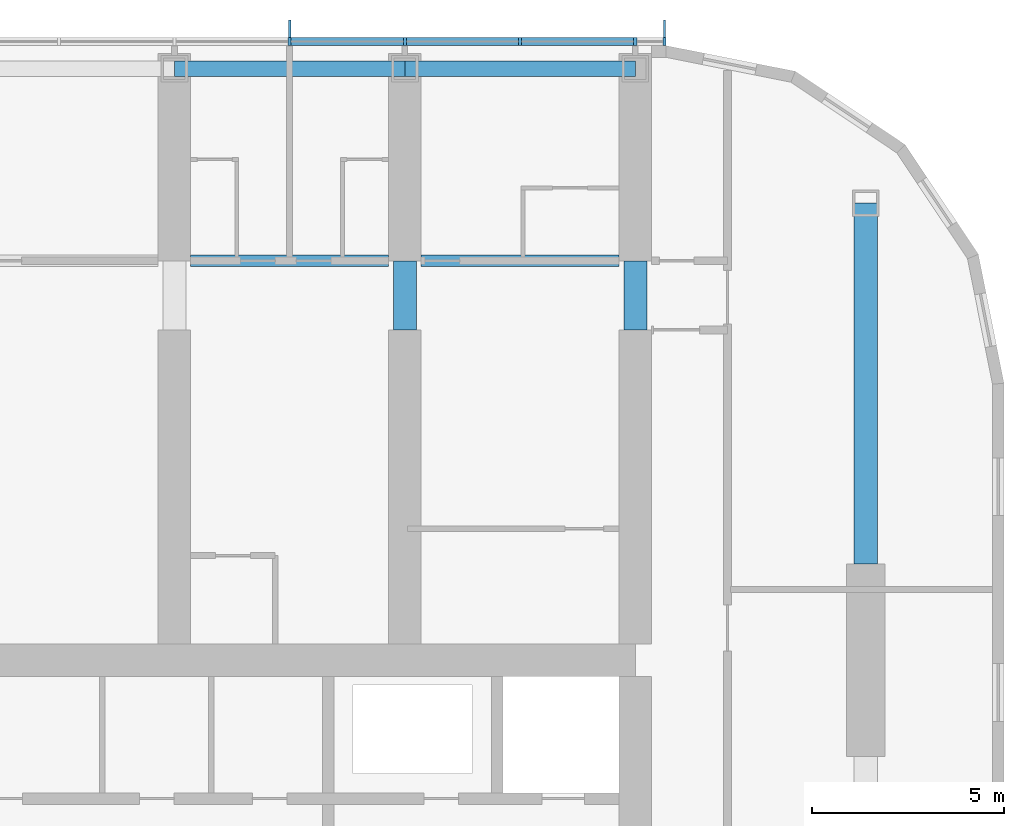
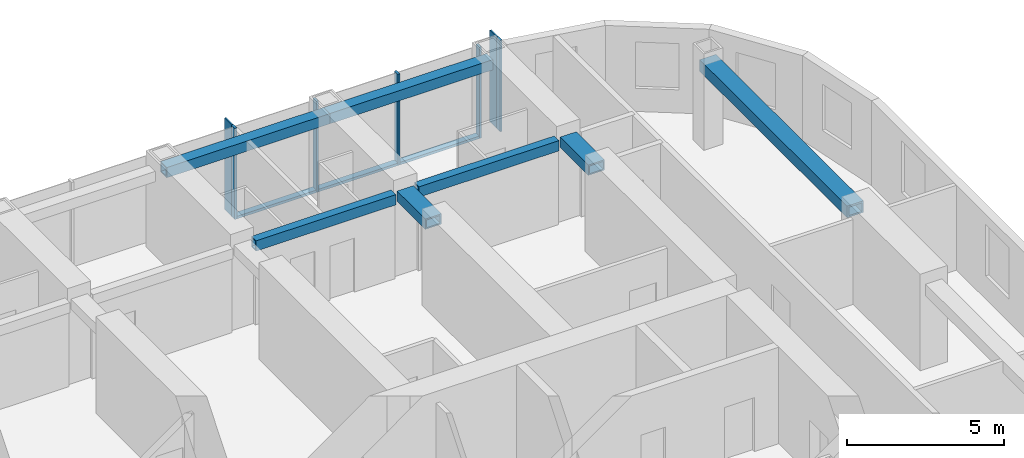
# One storey, part 5 of 22: 10 members, 7 beams, 1 element without a shape of its own.
"""IFC4 building model written with IfcOpenShell, lengths in metres."""

from ifc_helpers import new_model, si_unit, direction, frame, origin, origin_2d, place, context, subcontext, project, spatial, rectangle, hollow_rectangle, extrude, material, material_profile, profile_set, type_object, element, aggregate, save


model = new_model("IFC4")

# Units and contexts
model_context = context("Model", 3, precision=1e-05, world=origin(), true_north=direction((0.0, 1.0)))
body_context = subcontext(model_context, "Body", "Model", "MODEL_VIEW")
ifc_project = project(units=[si_unit("LENGTHUNIT", "METRE"), si_unit("AREAUNIT", "SQUARE_METRE"), si_unit("VOLUMEUNIT", "CUBIC_METRE"), si_unit("PLANEANGLEUNIT", "RADIAN"), si_unit("MASSUNIT", "GRAM", prefix="KILO")], contexts=[model_context])

# Site, building, storey
site_placement = place(None, origin())
site = spatial("IfcSite", under=ifc_project, at=site_placement, CompositionType="ELEMENT")
building_placement = place(site_placement, origin())
building = spatial("IfcBuilding", under=site, at=building_placement, Name="Orbita Commons", CompositionType="ELEMENT")
storey_placement = place(building_placement, frame((0.0, 0.0, 189.85009765625)))
storey = spatial("IfcBuildingStorey", under=building, at=storey_placement, Name="L47", CompositionType="ELEMENT", Elevation=189.85009765625)

# Curtain wall, members
ifc_material_1 = material(Name="Anodised aluminium frame, pale silver", Category="aluminium")
curtain_wall_type = type_object("IfcCurtainWallType", Name="Unitised curtain wall CW-U, full-height vision", PredefinedType="NOTDEFINED", material=ifc_material_1)
curtain_wall_placement = place(storey_placement, origin())
curtain_wall = element("IfcCurtainWall", 1, at=curtain_wall_placement, inside=storey, type_object=curtain_wall_type, Name="Curtain wall north L47", PredefinedType="NOTDEFINED")
ifc_material_2 = material(Name="Anodised aluminium, pale silver", Category="aluminium")
ifc_material_profile_1 = material_profile(ifc_material_2, rectangle(XDim=0.080078125, YDim=0.219970703125, at=origin_2d()), Name="AL 80x220")
ifc_profile_set_1 = profile_set([ifc_material_profile_1], Name="Anodised aluminium, pale silver")
member_type_1 = type_object("IfcMemberType", Name="Curtain wall mullion 80x220", PredefinedType="MULLION", material=ifc_profile_set_1)
member_1_placement = place(storey_placement, frame((66.760009765625, 54.31005859375, -0.25), z_axis=(0.0, 0.0, 1.0), x_axis=(-1.0, 0.0, 0.0)))
member_1 = element("IfcMember", 2, at=member_1_placement, type_object=member_type_1, Name="Mullion 1 CW-L47-N", PredefinedType="MULLION", context=body_context, shape_type="SweptSolid", body=[
    extrude(rectangle(XDim=0.080078125, YDim=0.219970703125, at=origin_2d()), origin(), (0.0, 0.0, 1.0), 3.5498046875),
])
member_2_placement = place(storey_placement, frame((66.0, 54.31005859375, -0.25), z_axis=(0.0, 0.0, 1.0), x_axis=(-1.0, 0.0, 0.0)))
member_2 = element("IfcMember", 3, at=member_2_placement, type_object=member_type_1, Name="Mullion 2 CW-L47-N", PredefinedType="MULLION", context=body_context, shape_type="SweptSolid", body=[
    extrude(rectangle(XDim=0.080078125, YDim=0.219970703125, at=origin_2d()), origin(), (0.0, 0.0, 1.0), 3.5498046875),
])
member_3_placement = place(storey_placement, frame((63.0, 54.31005859375, -0.25), z_axis=(0.0, 0.0, 1.0), x_axis=(-1.0, 0.0, 0.0)))
member_3 = element("IfcMember", 4, at=member_3_placement, type_object=member_type_1, Name="Mullion 3 CW-L47-N", PredefinedType="MULLION", context=body_context, shape_type="SweptSolid", body=[
    extrude(rectangle(XDim=0.080078125, YDim=0.219970703125, at=origin_2d()), origin(), (0.0, 0.0, 1.0), 3.5498046875),
])
member_4_placement = place(storey_placement, frame((60.0, 54.31005859375, -0.25), z_axis=(0.0, 0.0, 1.0), x_axis=(-1.0, 0.0, 0.0)))
member_4 = element("IfcMember", 5, at=member_4_placement, type_object=member_type_1, Name="Mullion 4 CW-L47-N", PredefinedType="MULLION", context=body_context, shape_type="SweptSolid", body=[
    extrude(rectangle(XDim=0.080078125, YDim=0.219970703125, at=origin_2d()), origin(), (0.0, 0.0, 1.0), 3.5498046875),
])
member_5_placement = place(storey_placement, frame((57.0, 54.31005859375, -0.25), z_axis=(0.0, 0.0, 1.0), x_axis=(-1.0, 0.0, 0.0)))
member_5 = element("IfcMember", 6, at=member_5_placement, type_object=member_type_1, Name="Mullion 5 CW-L47-N", PredefinedType="MULLION", context=body_context, shape_type="SweptSolid", body=[
    extrude(rectangle(XDim=0.080078125, YDim=0.219970703125, at=origin_2d()), origin(), (0.0, 0.0, 1.0), 3.5498046875),
])
ifc_material_3 = material(Name="Anodised aluminium, pale silver", Category="aluminium")
ifc_material_profile_2 = material_profile(ifc_material_3, rectangle(XDim=0.219970703125, YDim=0.10009765625, at=origin_2d()), Name="AL 220x100")
ifc_profile_set_2 = profile_set([ifc_material_profile_2], Name="Anodised aluminium, pale silver")
member_type_2 = type_object("IfcMemberType", Name="Curtain wall stack transom 220x100", PredefinedType="USERDEFINED", material=ifc_profile_set_2)
member_6_placement = place(storey_placement, frame((65.9599609375, 54.31005859375, -0.2001953125), z_axis=(-1.0, 0.0, 0.0), x_axis=(0.0, -1.0, 0.0)))
member_6 = element("IfcMember", 7, at=member_6_placement, type_object=member_type_2, Name="Transom 2.1 CW-L47-N", ObjectType="TRANSOM", PredefinedType="USERDEFINED", context=body_context, shape_type="SweptSolid", body=[
    extrude(rectangle(XDim=0.219970703125, YDim=0.10009765625, at=origin_2d()), origin(), (0.0, 0.0, 1.0), 2.919921875),
])
member_7_placement = place(storey_placement, frame((62.9599609375, 54.31005859375, -0.2001953125), z_axis=(-1.0, 0.0, 0.0), x_axis=(0.0, -1.0, 0.0)))
member_7 = element("IfcMember", 8, at=member_7_placement, type_object=member_type_2, Name="Transom 3.1 CW-L47-N", ObjectType="TRANSOM", PredefinedType="USERDEFINED", context=body_context, shape_type="SweptSolid", body=[
    extrude(rectangle(XDim=0.219970703125, YDim=0.10009765625, at=origin_2d()), origin(), (0.0, 0.0, 1.0), 2.919921875),
])
member_8_placement = place(storey_placement, frame((59.9599609375, 54.31005859375, -0.2001953125), z_axis=(-1.0, 0.0, 0.0), x_axis=(0.0, -1.0, 0.0)))
member_8 = element("IfcMember", 9, at=member_8_placement, type_object=member_type_2, Name="Transom 4.1 CW-L47-N", ObjectType="TRANSOM", PredefinedType="USERDEFINED", context=body_context, shape_type="SweptSolid", body=[
    extrude(rectangle(XDim=0.219970703125, YDim=0.10009765625, at=origin_2d()), origin(), (0.0, 0.0, 1.0), 2.919921875),
])

# Beams
ifc_material_4 = material(Name="Steel ASTM A572 Gr 50 welded plate", Category="steel")
ifc_material_profile_3 = material_profile(ifc_material_4, hollow_rectangle(XDim=0.300048828125, YDim=0.39990234375, WallThickness=0.0400390625, at=origin_2d()), Name="BOX 400x300x40")
ifc_profile_set_3 = profile_set([ifc_material_profile_3], Name="Steel ASTM A572 Gr 50 welded plate")
beam_type_1 = type_object("IfcBeamType", Name="Steel corridor link BOX 400x300x40", PredefinedType="BEAM", material=ifc_profile_set_3)
for number, where, z_axis, x_axis, name in (
    (10, (54.425048828125, 48.60009765625, 3.099853515625), (1.0, 0.0, 0.0), (0.0, 1.0, 0.0), "Corridor beam NB 10-11 L47"),
    (11, (60.425048828125, 48.60009765625, 3.099853515625), (1.0, 0.0, 0.0), (0.0, 1.0, 0.0), "Corridor beam NB 11-12 L47"),
):
    element("IfcBeam", number, at=place(storey_placement, frame(where, z_axis=z_axis, x_axis=x_axis)), inside=storey, type_object=beam_type_1, Name=name, PredefinedType="BEAM", context=body_context, shape_type="SweptSolid", body=[
        extrude(hollow_rectangle(XDim=0.300048828125, YDim=0.39990234375, WallThickness=0.0400390625, at=origin_2d()), origin(), (0.0, 0.0, 1.0), 5.14990234375),
    ])
ifc_material_5 = material(Name="Steel ASTM A572 Gr 50 welded plate", Category="steel")
ifc_material_profile_4 = material_profile(ifc_material_5, hollow_rectangle(XDim=0.60009765625, YDim=0.39990234375, WallThickness=0.050048828125, at=origin_2d()), Name="BOX 400x600x50")
ifc_profile_set_4 = profile_set([ifc_material_profile_4], Name="Steel ASTM A572 Gr 50 welded plate")
beam_type_2 = type_object("IfcBeamType", Name="Steel coupling link BOX 400x600x50", PredefinedType="LINTEL", material=ifc_profile_set_4)
for number, where, z_axis, x_axis, name in (
    (12, (60.0, 46.800048828125, 3.099853515625), (0.0, 1.0, 0.0), (-1.0, 0.0, 0.0), "Coupling beam 11 north L47"),
    (13, (66.0, 46.800048828125, 3.099853515625), (0.0, 1.0, 0.0), (-1.0, 0.0, 0.0), "Coupling beam 12 north L47"),
):
    element("IfcBeam", number, at=place(storey_placement, frame(where, z_axis=z_axis, x_axis=x_axis)), inside=storey, type_object=beam_type_2, Name=name, PredefinedType="LINTEL", context=body_context, shape_type="SweptSolid", body=[
        extrude(hollow_rectangle(XDim=0.60009765625, YDim=0.39990234375, WallThickness=0.050048828125, at=origin_2d()), origin(), (0.0, 0.0, 1.0), 1.800048828125),
    ])
ifc_material_6 = material(Name="Steel ASTM A572 Gr 50 welded plate", Category="steel")
ifc_material_profile_5 = material_profile(ifc_material_6, hollow_rectangle(XDim=0.60009765625, YDim=0.449951171875, WallThickness=0.06005859375, at=origin_2d()), Name="BOX 450x600x60")
ifc_profile_set_5 = profile_set([ifc_material_profile_5], Name="Steel ASTM A572 Gr 50 welded plate")
beam_type_3 = type_object("IfcBeamType", Name="Steel end frame link BOX 450x600x60", PredefinedType="BEAM", material=ifc_profile_set_5)
beam_placement = place(storey_placement, frame((72.0, 40.699951171875, 3.074951171875), z_axis=(0.0, 1.0, 0.0), x_axis=(-1.0, 0.0, 0.0)))
element("IfcBeam", 14, at=beam_placement, inside=storey, type_object=beam_type_3, Name="End frame beam 13 D-E L47", PredefinedType="BEAM", context=body_context, shape_type="SweptSolid", body=[
    extrude(hollow_rectangle(XDim=0.60009765625, YDim=0.449951171875, WallThickness=0.06005859375, at=origin_2d()), origin(), (0.0, 0.0, 1.0), 9.400146484375),
])
ifc_material_7 = material(Name="Steel ASTM A572 Gr 50 welded plate", Category="steel")
ifc_material_profile_6 = material_profile(ifc_material_7, hollow_rectangle(XDim=0.39990234375, YDim=0.39990234375, WallThickness=0.0400390625, at=origin_2d()), Name="BOX 400x400x40")
ifc_profile_set_6 = profile_set([ifc_material_profile_6], Name="Steel ASTM A572 Gr 50 welded plate")
beam_type_4 = type_object("IfcBeamType", Name="Steel spandrel BOX 400x400x40", PredefinedType="SPANDREL", material=ifc_profile_set_6)
for number, where, z_axis, x_axis, name in (
    (15, (54.0, 53.60009765625, 3.099853515625), (1.0, 0.0, 0.0), (0.0, 1.0, 0.0), "Spandrel beam E 10-11 L47"),
    (16, (60.0, 53.60009765625, 3.099853515625), (1.0, 0.0, 0.0), (0.0, 1.0, 0.0), "Spandrel beam E 11-12 L47"),
):
    element("IfcBeam", number, at=place(storey_placement, frame(where, z_axis=z_axis, x_axis=x_axis)), inside=storey, type_object=beam_type_4, Name=name, PredefinedType="SPANDREL", context=body_context, shape_type="SweptSolid", body=[
        extrude(hollow_rectangle(XDim=0.39990234375, YDim=0.39990234375, WallThickness=0.0400390625, at=origin_2d()), origin(), (0.0, 0.0, 1.0), 6.0),
    ])

# Member
ifc_material_8 = material(Name="Anodised aluminium, pale silver", Category="aluminium")
ifc_material_profile_7 = material_profile(ifc_material_8, rectangle(XDim=0.06005859375, YDim=0.449951171875, at=origin_2d()), Name="FIN 60x450")
ifc_profile_set_7 = profile_set([ifc_material_profile_7], Name="Anodised aluminium, pale silver")
member_type_3 = type_object("IfcMemberType", Name="Vertical fin 60x450 pale aluminium", PredefinedType="USERDEFINED", material=ifc_profile_set_7)
member_9_placement = place(storey_placement, frame((66.760009765625, 54.64501953125, -0.25), z_axis=(0.0, 0.0, 1.0), x_axis=(-1.0, 0.0, 0.0)))
member_9 = element("IfcMember", 17, at=member_9_placement, type_object=member_type_3, Name="Fin 1 CW-L47-N", ObjectType="FIN", PredefinedType="USERDEFINED", context=body_context, shape_type="SweptSolid", body=[
    extrude(rectangle(XDim=0.06005859375, YDim=0.449951171875, at=origin_2d()), origin(), (0.0, 0.0, 1.0), 3.5498046875),
])

member_10_placement = place(storey_placement, frame((57.0, 54.64501953125, -0.25), z_axis=(0.0, 0.0, 1.0), x_axis=(-1.0, 0.0, 0.0)))
member_10 = element("IfcMember", 18, at=member_10_placement, type_object=member_type_3, Name="Fin 5 CW-L47-N", ObjectType="FIN", PredefinedType="USERDEFINED", context=body_context, shape_type="SweptSolid", body=[
    extrude(rectangle(XDim=0.06005859375, YDim=0.449951171875, at=origin_2d()), origin(), (0.0, 0.0, 1.0), 3.5498046875),
])

aggregate(curtain_wall, [member_1, member_9, member_2, member_3, member_4, member_5, member_10, member_6, member_7, member_8])

save(model, "model.ifc")
